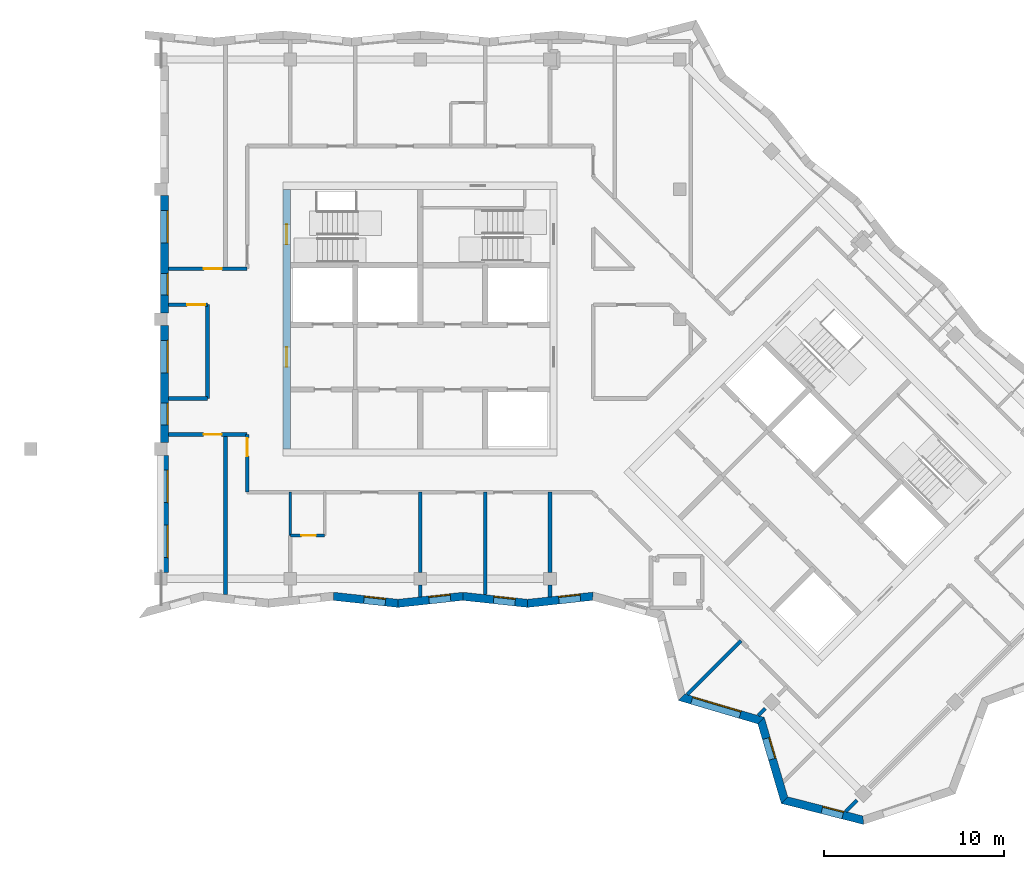
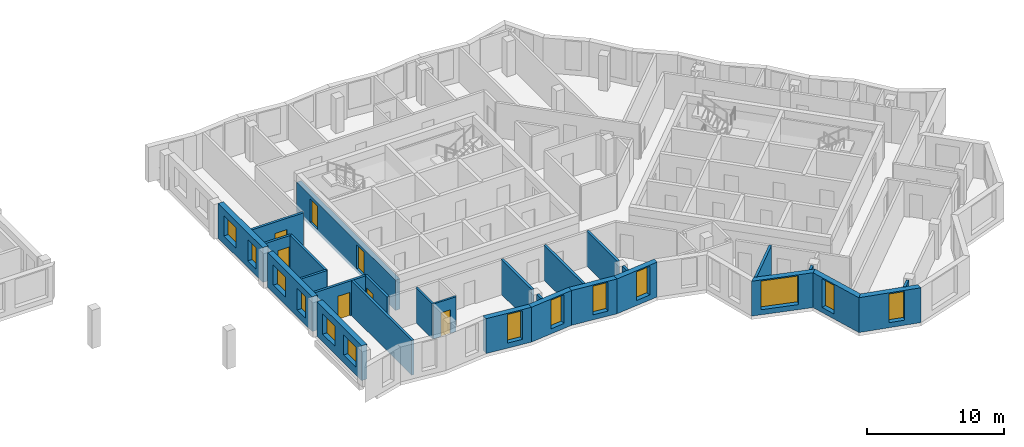
# One storey, part 2 of 12: 28 walls, 13 windows, 7 doors, 20 openings.
"""IFC4 building model written with IfcOpenShell, lengths in metres."""

from ifc_helpers import new_model, si_unit, direction, frame, frame_2d, origin, place, context, subcontext, project, spatial, polyline, rectangle, outline, extrude, material, layer, layer_set, type_object, element, fill, save


model = new_model("IFC4")

# Units and contexts
model_context = context("Model", 3, precision=1e-05, world=origin(), true_north=direction((0.0, 1.0)))
body_context = subcontext(model_context, "Body", "Model", "MODEL_VIEW")
ifc_project = project(units=[si_unit("LENGTHUNIT", "METRE"), si_unit("AREAUNIT", "SQUARE_METRE"), si_unit("VOLUMEUNIT", "CUBIC_METRE"), si_unit("PLANEANGLEUNIT", "RADIAN"), si_unit("MASSUNIT", "GRAM", prefix="KILO")], contexts=[model_context])

# Site, building, storey
site_placement = place(None, origin())
site = spatial("IfcSite", under=ifc_project, at=site_placement, CompositionType="ELEMENT")
building_placement = place(site_placement, origin())
building = spatial("IfcBuilding", under=site, at=building_placement, Name="Windrow Commons", CompositionType="ELEMENT")
storey_placement = place(building_placement, frame((0.0, 0.0, 254.0)))
storey = spatial("IfcBuildingStorey", under=building, at=storey_placement, Name="L69", CompositionType="ELEMENT", Elevation=254.0)

# Wall, opening, window
ifc_material_1 = material(Name="Brick masonry, red clay brick", Category="masonry")
ifc_layer_1 = layer(ifc_material_1, 0.45)
ifc_layer_set_1 = layer_set([ifc_layer_1], Name="Brick facade wall 450")
wall_type_1 = type_object("IfcWallType", Name="Brick facade wall 450", PredefinedType="SOLIDWALL", material=ifc_layer_set_1)
wall_1_placement = place(storey_placement, frame((59.9801, 42.2263, 0.0), z_axis=(0.0, 0.0, 1.0), x_axis=(0.994132181, -0.1081721163, 0.0)))
wall_1 = element("IfcWall", 1, at=wall_1_placement, inside=storey, type_object=wall_type_1, Name="Brick facade wall L69 41", PredefinedType="SOLIDWALL", context=body_context, shape_type="SweptSolid", body=[
    extrude(outline(polyline([(0.0245, -0.225), (3.6391, -0.225), (3.5901, 0.225), (-0.0245, 0.225), (0.0245, -0.225)])), origin(), (0.0, 0.0, 1.0), 3.1),
])
opening_1_placement = place(wall_1_placement, frame((1.7086, 0.0, 0.45)))
opening_1 = element("IfcOpeningElement", 2, at=opening_1_placement, cuts=wall_1, Name="Opening W7F", PredefinedType="OPENING", context=body_context, shape_type="SweptSolid", body=[
    extrude(rectangle(XDim=1.2, YDim=2.55, at=frame_2d((0.6, 1.275))), frame((0.0, 0.235, 0.0), z_axis=(0.0, -1.0, 0.0), x_axis=(1.0, 0.0, 0.0)), (0.0, 0.0, 1.0), 0.47),
])
ifc_material_2 = material(Name="Clear float glass in anodised aluminium frame", Category="aluminium")
window_type_1 = type_object("IfcWindowType", Name="Window W7 notch 1200x2550", PartitioningType="SINGLE_PANEL", PredefinedType="WINDOW", material=ifc_material_2)
window_1_placement = place(opening_1_placement, origin())
window_1 = element("IfcWindow", 3, at=window_1_placement, inside=storey, type_object=window_type_1, Name="Window L69 41.1", OverallHeight=2.55, OverallWidth=1.2, PartitioningType="SINGLE_PANEL", PredefinedType="WINDOW", context=body_context, shape_type="SweptSolid", body=[
    extrude(rectangle(XDim=1.2, YDim=2.55, at=frame_2d((0.6, 1.275))), frame((0.0, 0.205, 0.0), z_axis=(0.0, -1.0, 0.0), x_axis=(1.0, 0.0, 0.0)), (0.0, 0.0, 1.0), 0.06),
])
fill(opening_1, window_1)

wall_2_placement = place(storey_placement, frame((63.5735, 41.8353, 0.0), z_axis=(0.0, 0.0, 1.0), x_axis=(0.9941318572, 0.1081750915, 0.0)))
wall_2 = element("IfcWall", 4, at=wall_2_placement, inside=storey, type_object=wall_type_1, Name="Brick facade wall L69 42", PredefinedType="SOLIDWALL", context=body_context, shape_type="SweptSolid", body=[
    extrude(outline(polyline([(-0.0245, -0.225), (3.5901, -0.225), (3.6391, 0.225), (0.0245, 0.225), (-0.0245, -0.225)])), origin(), (0.0, 0.0, 1.0), 3.1),
])
opening_2_placement = place(wall_2_placement, frame((1.7242, 0.0, 0.45)))
opening_2 = element("IfcOpeningElement", 5, at=opening_2_placement, cuts=wall_2, Name="Opening W7F", PredefinedType="OPENING", context=body_context, shape_type="SweptSolid", body=[
    extrude(rectangle(XDim=1.2, YDim=2.55, at=frame_2d((0.6, 1.275))), frame((0.0, 0.235, 0.0), z_axis=(0.0, -1.0, 0.0), x_axis=(1.0, 0.0, 0.0)), (0.0, 0.0, 1.0), 0.47),
])
window_2_placement = place(opening_2_placement, origin())
window_2 = element("IfcWindow", 6, at=window_2_placement, inside=storey, type_object=window_type_1, Name="Window L69 42.1", OverallHeight=2.55, OverallWidth=1.2, PartitioningType="SINGLE_PANEL", PredefinedType="WINDOW", context=body_context, shape_type="SweptSolid", body=[
    extrude(rectangle(XDim=1.2, YDim=2.55, at=frame_2d((0.6, 1.275))), frame((0.0, 0.205, 0.0), z_axis=(0.0, -1.0, 0.0), x_axis=(1.0, 0.0, 0.0)), (0.0, 0.0, 1.0), 0.06),
])
fill(opening_2, window_2)

wall_3_placement = place(storey_placement, frame((67.1668, 42.2263, 0.0), z_axis=(0.0, 0.0, 1.0), x_axis=(0.994132181, -0.1081721163, 0.0)))
wall_3 = element("IfcWall", 7, at=wall_3_placement, inside=storey, type_object=wall_type_1, Name="Brick facade wall L69 43", PredefinedType="SOLIDWALL", context=body_context, shape_type="SweptSolid", body=[
    extrude(outline(polyline([(0.0245, -0.225), (3.6391, -0.225), (3.5901, 0.225), (-0.0245, 0.225), (0.0245, -0.225)])), origin(), (0.0, 0.0, 1.0), 3.1),
])
opening_3_placement = place(wall_3_placement, frame((1.7153, 0.0, 0.45)))
opening_3 = element("IfcOpeningElement", 8, at=opening_3_placement, cuts=wall_3, Name="Opening W7F", PredefinedType="OPENING", context=body_context, shape_type="SweptSolid", body=[
    extrude(rectangle(XDim=1.2, YDim=2.55, at=frame_2d((0.6, 1.275))), frame((0.0, 0.235, 0.0), z_axis=(0.0, -1.0, 0.0), x_axis=(1.0, 0.0, 0.0)), (0.0, 0.0, 1.0), 0.47),
])
window_3_placement = place(opening_3_placement, origin())
window_3 = element("IfcWindow", 9, at=window_3_placement, inside=storey, type_object=window_type_1, Name="Window L69 43.1", OverallHeight=2.55, OverallWidth=1.2, PartitioningType="SINGLE_PANEL", PredefinedType="WINDOW", context=body_context, shape_type="SweptSolid", body=[
    extrude(rectangle(XDim=1.2, YDim=2.55, at=frame_2d((0.6, 1.275))), frame((0.0, 0.205, 0.0), z_axis=(0.0, -1.0, 0.0), x_axis=(1.0, 0.0, 0.0)), (0.0, 0.0, 1.0), 0.06),
])
fill(opening_3, window_3)

wall_4_placement = place(storey_placement, frame((70.7602, 41.8353, 0.0), z_axis=(0.0, 0.0, 1.0), x_axis=(0.9941319215, 0.108174501, 0.0)))
wall_4 = element("IfcWall", 10, at=wall_4_placement, inside=storey, type_object=wall_type_1, Name="Brick facade wall L69 44", PredefinedType="SOLIDWALL", context=body_context, shape_type="SweptSolid", body=[
    extrude(outline(polyline([(-0.0245, -0.225), (3.5901, -0.225), (3.676, 0.225), (0.0245, 0.225), (-0.0245, -0.225)])), origin(), (0.0, 0.0, 1.0), 3.1),
])
opening_4_placement = place(wall_4_placement, frame((1.7401, 0.0, 0.45)))
opening_4 = element("IfcOpeningElement", 11, at=opening_4_placement, cuts=wall_4, Name="Opening W7F", PredefinedType="OPENING", context=body_context, shape_type="SweptSolid", body=[
    extrude(rectangle(XDim=1.2, YDim=2.55, at=frame_2d((0.6, 1.275))), frame((0.0, 0.235, 0.0), z_axis=(0.0, -1.0, 0.0), x_axis=(1.0, 0.0, 0.0)), (0.0, 0.0, 1.0), 0.47),
])
window_4_placement = place(opening_4_placement, origin())
window_4 = element("IfcWindow", 12, at=window_4_placement, inside=storey, type_object=window_type_1, Name="Window L69 44.1", OverallHeight=2.55, OverallWidth=1.2, PartitioningType="SINGLE_PANEL", PredefinedType="WINDOW", context=body_context, shape_type="SweptSolid", body=[
    extrude(rectangle(XDim=1.2, YDim=2.55, at=frame_2d((0.6, 1.275))), frame((0.0, 0.205, 0.0), z_axis=(0.0, -1.0, 0.0), x_axis=(1.0, 0.0, 0.0)), (0.0, 0.0, 1.0), 0.06),
])
fill(opening_4, window_4)

wall_5_placement = place(storey_placement, frame((79.2951, 36.6327, 0.0), z_axis=(0.0, 0.0, 1.0), x_axis=(0.959077868, -0.2831424432, 0.0)))
wall_5 = element("IfcWall", 13, at=wall_5_placement, inside=storey, type_object=wall_type_1, Name="Brick facade wall L69 47", PredefinedType="SOLIDWALL", context=body_context, shape_type="SweptSolid", body=[
    extrude(outline(polyline([(-0.1279, -0.225), (4.4749, -0.225), (4.7198, 0.225), (0.1279, 0.225), (-0.1279, -0.225)])), origin(), (0.0, 0.0, 1.0), 3.1),
])
opening_5_placement = place(wall_5_placement, frame((0.5912, 0.0, 0.45)))
opening_5 = element("IfcOpeningElement", 14, at=opening_5_placement, cuts=wall_5, Name="Opening W1V", PredefinedType="OPENING", context=body_context, shape_type="SweptSolid", body=[
    extrude(rectangle(XDim=2.8, YDim=2.55, at=frame_2d((1.4, 1.275))), frame((0.0, 0.235, 0.0), z_axis=(0.0, -1.0, 0.0), x_axis=(1.0, 0.0, 0.0)), (0.0, 0.0, 1.0), 0.47),
])
ifc_material_3 = material(Name="Clear float glass in anodised aluminium frame", Category="aluminium")
window_type_2 = type_object("IfcWindowType", Name="Window W1V bedroom 2800x2550", PartitioningType="SINGLE_PANEL", PredefinedType="WINDOW", material=ifc_material_3)
window_5_placement = place(opening_5_placement, origin())
window_5 = element("IfcWindow", 15, at=window_5_placement, inside=storey, type_object=window_type_2, Name="Window L69 47.1", OverallHeight=2.55, OverallWidth=2.8, PartitioningType="SINGLE_PANEL", PredefinedType="WINDOW", context=body_context, shape_type="SweptSolid", body=[
    extrude(rectangle(XDim=2.8, YDim=2.55, at=frame_2d((1.4, 1.275))), frame((0.0, 0.205, 0.0), z_axis=(0.0, -1.0, 0.0), x_axis=(1.0, 0.0, 0.0)), (0.0, 0.0, 1.0), 0.06),
])
fill(opening_5, window_5)

wall_6_placement = place(storey_placement, frame((83.7043, 35.331, 0.0), z_axis=(0.0, 0.0, 1.0), x_axis=(0.2831424432, -0.959077868, 0.0)))
wall_6 = element("IfcWall", 16, at=wall_6_placement, inside=storey, type_object=wall_type_1, Name="Brick facade wall L69 48", PredefinedType="SOLIDWALL", context=body_context, shape_type="SweptSolid", body=[
    extrude(outline(polyline([(0.1224, -0.225), (4.7253, -0.225), (4.4694, 0.225), (-0.1224, 0.225), (0.1224, -0.225)])), origin(), (0.0, 0.0, 1.0), 3.1),
])
opening_6_placement = place(wall_6_placement, frame((1.028, 0.0, 0.45)))
opening_6 = element("IfcOpeningElement", 17, at=opening_6_placement, cuts=wall_6, Name="Opening W7F", PredefinedType="OPENING", context=body_context, shape_type="SweptSolid", body=[
    extrude(rectangle(XDim=1.2, YDim=2.55, at=frame_2d((0.6, 1.275))), frame((0.0, 0.235, 0.0), z_axis=(0.0, -1.0, 0.0), x_axis=(1.0, 0.0, 0.0)), (0.0, 0.0, 1.0), 0.47),
])
window_6_placement = place(opening_6_placement, origin())
window_6 = element("IfcWindow", 18, at=window_6_placement, inside=storey, type_object=window_type_1, Name="Window L69 48.1", OverallHeight=2.55, OverallWidth=1.2, PartitioningType="SINGLE_PANEL", PredefinedType="WINDOW", context=body_context, shape_type="SweptSolid", body=[
    extrude(rectangle(XDim=1.2, YDim=2.55, at=frame_2d((0.6, 1.275))), frame((0.0, 0.205, 0.0), z_axis=(0.0, -1.0, 0.0), x_axis=(1.0, 0.0, 0.0)), (0.0, 0.0, 1.0), 0.06),
])
fill(opening_6, window_6)

wall_7_placement = place(storey_placement, frame((85.006, 30.9218, 0.0), z_axis=(0.0, 0.0, 1.0), x_axis=(0.9689925633, -0.2470898869, 0.0)))
wall_7 = element("IfcWall", 19, at=wall_7_placement, inside=storey, type_object=wall_type_1, Name="Brick facade wall L69 49", PredefinedType="SOLIDWALL", context=body_context, shape_type="SweptSolid", body=[
    extrude(outline(polyline([(-0.1279, -0.225), (4.5738, -0.225), (4.4416, 0.225), (0.1279, 0.225), (-0.1279, -0.225)])), origin(), (0.0, 0.0, 1.0), 3.1),
])
opening_7_placement = place(wall_7_placement, frame((2.1401, 0.0, 0.45)))
opening_7 = element("IfcOpeningElement", 20, at=opening_7_placement, cuts=wall_7, Name="Opening W7F", PredefinedType="OPENING", context=body_context, shape_type="SweptSolid", body=[
    extrude(rectangle(XDim=1.2, YDim=2.55, at=frame_2d((0.6, 1.275))), frame((0.0, 0.235, 0.0), z_axis=(0.0, -1.0, 0.0), x_axis=(1.0, 0.0, 0.0)), (0.0, 0.0, 1.0), 0.47),
])
window_7_placement = place(opening_7_placement, origin())
window_7 = element("IfcWindow", 21, at=window_7_placement, inside=storey, type_object=window_type_1, Name="Window L69 49.1", OverallHeight=2.55, OverallWidth=1.2, PartitioningType="SINGLE_PANEL", PredefinedType="WINDOW", context=body_context, shape_type="SweptSolid", body=[
    extrude(rectangle(XDim=1.2, YDim=2.55, at=frame_2d((0.6, 1.275))), frame((0.0, 0.205, 0.0), z_axis=(0.0, -1.0, 0.0), x_axis=(1.0, 0.0, 0.0)), (0.0, 0.0, 1.0), 0.06),
])
fill(opening_7, window_7)

# Wall, openings, windows
wall_8_placement = place(storey_placement, frame((50.625, 64.45, 0.0), z_axis=(0.0, 0.0, 1.0), x_axis=(0.0, -1.0, 0.0)))
wall_8 = element("IfcWall", 22, at=wall_8_placement, inside=storey, type_object=wall_type_1, Name="Brick portal return L69 12.2", PredefinedType="SOLIDWALL", context=body_context, shape_type="SweptSolid", body=[
    extrude(rectangle(XDim=6.5, YDim=0.45, at=frame_2d((3.25, 0.0))), origin(), (0.0, 0.0, 1.0), 3.1),
])
opening_8_placement = place(wall_8_placement, frame((0.825, 0.0, 0.7)))
opening_8 = element("IfcOpeningElement", 23, at=opening_8_placement, cuts=wall_8, Name="Opening W8", PredefinedType="OPENING", context=body_context, shape_type="SweptSolid", body=[
    extrude(rectangle(XDim=1.8, YDim=1.8, at=frame_2d((0.9, 0.9))), frame((0.0, 0.235, 0.0), z_axis=(0.0, -1.0, 0.0), x_axis=(1.0, 0.0, 0.0)), (0.0, 0.0, 1.0), 0.47),
])
opening_9_placement = place(wall_8_placement, frame((4.3125, 0.0, 0.6)))
opening_9 = element("IfcOpeningElement", 24, at=opening_9_placement, cuts=wall_8, Name="Opening W7G", PredefinedType="OPENING", context=body_context, shape_type="SweptSolid", body=[
    extrude(rectangle(XDim=1.2, YDim=1.9, at=frame_2d((0.6, 0.95))), frame((0.0, 0.235, 0.0), z_axis=(0.0, -1.0, 0.0), x_axis=(1.0, 0.0, 0.0)), (0.0, 0.0, 1.0), 0.47),
])
ifc_material_4 = material(Name="Clear float glass in anodised aluminium frame", Category="aluminium")
window_type_3 = type_object("IfcWindowType", Name="Window W7 notch 1200x1900", PartitioningType="SINGLE_PANEL", PredefinedType="WINDOW", material=ifc_material_4)
window_8_placement = place(opening_9_placement, origin())
window_8 = element("IfcWindow", 25, at=window_8_placement, inside=storey, type_object=window_type_3, Name="Window L69 portal 12.2.2A", OverallHeight=1.9, OverallWidth=1.2, PartitioningType="SINGLE_PANEL", PredefinedType="WINDOW", context=body_context, shape_type="SweptSolid", body=[
    extrude(rectangle(XDim=1.2, YDim=1.9, at=frame_2d((0.6, 0.95))), frame((0.0, 0.205, 0.0), z_axis=(0.0, -1.0, 0.0), x_axis=(1.0, 0.0, 0.0)), (0.0, 0.0, 1.0), 0.06),
])
fill(opening_9, window_8)
ifc_material_5 = material(Name="Clear float glass in anodised aluminium frame", Category="aluminium")
window_type_4 = type_object("IfcWindowType", Name="Window W8 portal 1800x1800", PartitioningType="SINGLE_PANEL", PredefinedType="WINDOW", material=ifc_material_5)
window_9_placement = place(opening_8_placement, origin())
window_9 = element("IfcWindow", 26, at=window_9_placement, inside=storey, type_object=window_type_4, Name="Window L69 portal 12.2.1", OverallHeight=1.8, OverallWidth=1.8, PartitioningType="SINGLE_PANEL", PredefinedType="WINDOW", context=body_context, shape_type="SweptSolid", body=[
    extrude(rectangle(XDim=1.8, YDim=1.8, at=frame_2d((0.9, 0.9))), frame((0.0, 0.205, 0.0), z_axis=(0.0, -1.0, 0.0), x_axis=(1.0, 0.0, 0.0)), (0.0, 0.0, 1.0), 0.06),
])
fill(opening_8, window_9)

wall_9_placement = place(storey_placement, frame((50.625, 57.25, 0.0), z_axis=(0.0, 0.0, 1.0), x_axis=(0.0, -1.0, 0.0)))
wall_9 = element("IfcWall", 27, at=wall_9_placement, inside=storey, type_object=wall_type_1, Name="Brick portal return L69 12.3", PredefinedType="SOLIDWALL", context=body_context, shape_type="SweptSolid", body=[
    extrude(rectangle(XDim=6.5, YDim=0.45, at=frame_2d((3.25, 0.0))), origin(), (0.0, 0.0, 1.0), 3.1),
])
opening_10_placement = place(wall_9_placement, frame((0.825, 0.0, 0.7)))
opening_10 = element("IfcOpeningElement", 28, at=opening_10_placement, cuts=wall_9, Name="Opening W8", PredefinedType="OPENING", context=body_context, shape_type="SweptSolid", body=[
    extrude(rectangle(XDim=1.8, YDim=1.8, at=frame_2d((0.9, 0.9))), frame((0.0, 0.235, 0.0), z_axis=(0.0, -1.0, 0.0), x_axis=(1.0, 0.0, 0.0)), (0.0, 0.0, 1.0), 0.47),
])
opening_11_placement = place(wall_9_placement, frame((4.3125, 0.0, 0.6)))
opening_11 = element("IfcOpeningElement", 29, at=opening_11_placement, cuts=wall_9, Name="Opening W7G", PredefinedType="OPENING", context=body_context, shape_type="SweptSolid", body=[
    extrude(rectangle(XDim=1.2, YDim=1.9, at=frame_2d((0.6, 0.95))), frame((0.0, 0.235, 0.0), z_axis=(0.0, -1.0, 0.0), x_axis=(1.0, 0.0, 0.0)), (0.0, 0.0, 1.0), 0.47),
])
window_10_placement = place(opening_11_placement, origin())
window_10 = element("IfcWindow", 30, at=window_10_placement, inside=storey, type_object=window_type_3, Name="Window L69 portal 12.3.2A", OverallHeight=1.9, OverallWidth=1.2, PartitioningType="SINGLE_PANEL", PredefinedType="WINDOW", context=body_context, shape_type="SweptSolid", body=[
    extrude(rectangle(XDim=1.2, YDim=1.9, at=frame_2d((0.6, 0.95))), frame((0.0, 0.205, 0.0), z_axis=(0.0, -1.0, 0.0), x_axis=(1.0, 0.0, 0.0)), (0.0, 0.0, 1.0), 0.06),
])
fill(opening_11, window_10)
window_11_placement = place(opening_10_placement, origin())
window_11 = element("IfcWindow", 31, at=window_11_placement, inside=storey, type_object=window_type_4, Name="Window L69 portal 12.3.1", OverallHeight=1.8, OverallWidth=1.8, PartitioningType="SINGLE_PANEL", PredefinedType="WINDOW", context=body_context, shape_type="SweptSolid", body=[
    extrude(rectangle(XDim=1.8, YDim=1.8, at=frame_2d((0.9, 0.9))), frame((0.0, 0.205, 0.0), z_axis=(0.0, -1.0, 0.0), x_axis=(1.0, 0.0, 0.0)), (0.0, 0.0, 1.0), 0.06),
])
fill(opening_10, window_11)

wall_10_placement = place(storey_placement, frame((50.625, 50.05, 0.0), z_axis=(0.0, 0.0, 1.0), x_axis=(0.0, -1.0, 0.0)))
wall_10 = element("IfcWall", 32, at=wall_10_placement, inside=storey, type_object=wall_type_1, Name="Brick portal return L69 12.4", PredefinedType="SOLIDWALL", context=body_context, shape_type="SweptSolid", body=[
    extrude(rectangle(XDim=6.5, YDim=0.45, at=frame_2d((3.25, 0.0))), origin(), (0.0, 0.0, 1.0), 3.1),
])
opening_12_placement = place(wall_10_placement, frame((0.825, 0.0, 0.7)))
opening_12 = element("IfcOpeningElement", 33, at=opening_12_placement, cuts=wall_10, Name="Opening W8", PredefinedType="OPENING", context=body_context, shape_type="SweptSolid", body=[
    extrude(rectangle(XDim=1.8, YDim=1.8, at=frame_2d((0.9, 0.9))), frame((0.0, 0.235, 0.0), z_axis=(0.0, -1.0, 0.0), x_axis=(1.0, 0.0, 0.0)), (0.0, 0.0, 1.0), 0.47),
])
opening_13_placement = place(wall_10_placement, frame((3.875, 0.0, 0.7)))
opening_13 = element("IfcOpeningElement", 34, at=opening_13_placement, cuts=wall_10, Name="Opening W8", PredefinedType="OPENING", context=body_context, shape_type="SweptSolid", body=[
    extrude(rectangle(XDim=1.8, YDim=1.8, at=frame_2d((0.9, 0.9))), frame((0.0, 0.235, 0.0), z_axis=(0.0, -1.0, 0.0), x_axis=(1.0, 0.0, 0.0)), (0.0, 0.0, 1.0), 0.47),
])
window_12_placement = place(opening_12_placement, origin())
window_12 = element("IfcWindow", 35, at=window_12_placement, inside=storey, type_object=window_type_4, Name="Window L69 portal 12.4.1", OverallHeight=1.8, OverallWidth=1.8, PartitioningType="SINGLE_PANEL", PredefinedType="WINDOW", context=body_context, shape_type="SweptSolid", body=[
    extrude(rectangle(XDim=1.8, YDim=1.8, at=frame_2d((0.9, 0.9))), frame((0.0, 0.205, 0.0), z_axis=(0.0, -1.0, 0.0), x_axis=(1.0, 0.0, 0.0)), (0.0, 0.0, 1.0), 0.06),
])
fill(opening_12, window_12)
window_13_placement = place(opening_13_placement, origin())
window_13 = element("IfcWindow", 36, at=window_13_placement, inside=storey, type_object=window_type_4, Name="Window L69 portal 12.4.2", OverallHeight=1.8, OverallWidth=1.8, PartitioningType="SINGLE_PANEL", PredefinedType="WINDOW", context=body_context, shape_type="SweptSolid", body=[
    extrude(rectangle(XDim=1.8, YDim=1.8, at=frame_2d((0.9, 0.9))), frame((0.0, 0.205, 0.0), z_axis=(0.0, -1.0, 0.0), x_axis=(1.0, 0.0, 0.0)), (0.0, 0.0, 1.0), 0.06),
])
fill(opening_13, window_13)

# Wall
ifc_material_6 = material(Name="Blockwork partition", Category="masonry")
ifc_layer_2 = layer(ifc_material_6, 0.2)
ifc_layer_set_2 = layer_set([ifc_layer_2], Name="IW-CORRIDOR-200")
wall_type_2 = type_object("IfcWallType", Name="IW-CORRIDOR-200", PredefinedType="PARTITIONING", material=ifc_layer_set_2)
wall_11_placement = place(storey_placement, frame((53.0, 53.202, 0.0), z_axis=(0.0, 0.0, 1.0), x_axis=(0.0, 1.0, 0.0)))
element("IfcWall", 37, at=wall_11_placement, inside=storey, type_object=wall_type_2, Name="W-L69-W018", PredefinedType="PARTITIONING", context=body_context, shape_type="SweptSolid", body=[
    extrude(rectangle(XDim=5.198, YDim=0.2, at=frame_2d((2.599, 0.0))), origin(), (0.0, 0.0, 1.0), 3.1),
])

# Wall, opening, door
wall_12_placement = place(storey_placement, frame((50.85, 51.2, 0.0), z_axis=(0.0, 0.0, 1.0), x_axis=(1.0, 0.0, 0.0)))
wall_12 = element("IfcWall", 38, at=wall_12_placement, inside=storey, type_object=wall_type_2, Name="W-L69-W028", PredefinedType="PARTITIONING", context=body_context, shape_type="SweptSolid", body=[
    extrude(rectangle(XDim=4.35, YDim=0.2, at=frame_2d((2.175, 0.0))), origin(), (0.0, 0.0, 1.0), 3.1),
])
opening_14_placement = place(wall_12_placement, frame((1.9314, 0.0, 0.0)))
opening_14 = element("IfcOpeningElement", 39, at=opening_14_placement, cuts=wall_12, Name="Opening D310F", PredefinedType="OPENING", context=body_context, shape_type="SweptSolid", body=[
    extrude(rectangle(XDim=1.0, YDim=2.1, at=frame_2d((0.5, 1.05))), frame((0.0, 0.11, 0.0), z_axis=(0.0, -1.0, 0.0), x_axis=(1.0, 0.0, 0.0)), (0.0, 0.0, 1.0), 0.22),
])
ifc_material_7 = material(Name="Timber door leaf", Category="wood")
door_type_1 = type_object("IfcDoorType", Name="DT-AMENITY-1000", OperationType="SINGLE_SWING_LEFT", PredefinedType="DOOR", material=ifc_material_7)
door_1_placement = place(opening_14_placement, origin())
door_1 = element("IfcDoor", 40, at=door_1_placement, inside=storey, type_object=door_type_1, Name="D-L69-D000", OperationType="SINGLE_SWING_LEFT", OverallHeight=2.1, OverallWidth=1.0, PredefinedType="DOOR", context=body_context, shape_type="SweptSolid", body=[
    extrude(rectangle(XDim=1.0, YDim=2.1, at=frame_2d((0.5, 1.05))), frame((0.0, 0.025, 0.0), z_axis=(0.0, -1.0, 0.0), x_axis=(1.0, 0.0, 0.0)), (0.0, 0.0, 1.0), 0.05),
])
fill(opening_14, door_1)

wall_13_placement = place(storey_placement, frame((50.85, 60.4, 0.0), z_axis=(0.0, 0.0, 1.0), x_axis=(1.0, 0.0, 0.0)))
wall_13 = element("IfcWall", 41, at=wall_13_placement, inside=storey, type_object=wall_type_2, Name="W-L69-W029", PredefinedType="PARTITIONING", context=body_context, shape_type="SweptSolid", body=[
    extrude(rectangle(XDim=4.35, YDim=0.2, at=frame_2d((2.175, 0.0))), origin(), (0.0, 0.0, 1.0), 3.1),
])
opening_15_placement = place(wall_13_placement, frame((1.9457, 0.0, 0.0)))
opening_15 = element("IfcOpeningElement", 42, at=opening_15_placement, cuts=wall_13, Name="Opening D310F", PredefinedType="OPENING", context=body_context, shape_type="SweptSolid", body=[
    extrude(rectangle(XDim=1.0, YDim=2.1, at=frame_2d((0.5, 1.05))), frame((0.0, 0.11, 0.0), z_axis=(0.0, -1.0, 0.0), x_axis=(1.0, 0.0, 0.0)), (0.0, 0.0, 1.0), 0.22),
])
door_2_placement = place(opening_15_placement, origin())
door_2 = element("IfcDoor", 43, at=door_2_placement, inside=storey, type_object=door_type_1, Name="D-L69-D009", OperationType="SINGLE_SWING_RIGHT", OverallHeight=2.1, OverallWidth=1.0, PredefinedType="DOOR", context=body_context, shape_type="SweptSolid", body=[
    extrude(rectangle(XDim=1.0, YDim=2.1, at=frame_2d((0.5, 1.05))), frame((0.0, 0.025, 0.0), z_axis=(0.0, -1.0, 0.0), x_axis=(1.0, 0.0, 0.0)), (0.0, 0.0, 1.0), 0.05),
])
fill(opening_15, door_2)

wall_14_placement = place(storey_placement, frame((55.2, 48.0, 0.0), z_axis=(0.0, 0.0, 1.0), x_axis=(0.0, 1.0, 0.0)))
wall_14 = element("IfcWall", 44, at=wall_14_placement, inside=storey, type_object=wall_type_2, Name="W-L69-W035", PredefinedType="PARTITIONING", context=body_context, shape_type="SweptSolid", body=[
    extrude(rectangle(XDim=3.2, YDim=0.2, at=frame_2d((1.6, 0.0))), origin(), (0.0, 0.0, 1.0), 3.1),
])
opening_16_placement = place(wall_14_placement, frame((2.0043, 0.0, 0.0)))
opening_16 = element("IfcOpeningElement", 45, at=opening_16_placement, cuts=wall_14, Name="Opening D310F", PredefinedType="OPENING", context=body_context, shape_type="SweptSolid", body=[
    extrude(rectangle(XDim=1.0, YDim=2.1, at=frame_2d((0.5, 1.05))), frame((0.0, 0.11, 0.0), z_axis=(0.0, -1.0, 0.0), x_axis=(1.0, 0.0, 0.0)), (0.0, 0.0, 1.0), 0.22),
])
door_3_placement = place(opening_16_placement, origin())
door_3 = element("IfcDoor", 46, at=door_3_placement, inside=storey, type_object=door_type_1, Name="D-L69-D001", OperationType="SINGLE_SWING_RIGHT", OverallHeight=2.1, OverallWidth=1.0, PredefinedType="DOOR", context=body_context, shape_type="SweptSolid", body=[
    extrude(rectangle(XDim=1.0, YDim=2.1, at=frame_2d((0.5, 1.05))), frame((0.0, 0.025, 0.0), z_axis=(0.0, -1.0, 0.0), x_axis=(1.0, 0.0, 0.0)), (0.0, 0.0, 1.0), 0.05),
])
fill(opening_16, door_3)

# Wall
wall_15_placement = place(storey_placement, frame((50.85, 53.2, 0.0), z_axis=(0.0, 0.0, 1.0), x_axis=(1.0, 0.0, 0.0)))
element("IfcWall", 47, at=wall_15_placement, inside=storey, type_object=wall_type_2, Name="W-L69-W061", PredefinedType="PARTITIONING", context=body_context, shape_type="SweptSolid", body=[
    extrude(rectangle(XDim=2.15, YDim=0.2, at=frame_2d((1.075, 0.0))), origin(), (0.0, 0.0, 1.0), 3.1),
])

# Wall, opening, door
wall_16_placement = place(storey_placement, frame((50.85, 58.4, 0.0), z_axis=(0.0, 0.0, 1.0), x_axis=(1.0, 0.0, 0.0)))
wall_16 = element("IfcWall", 48, at=wall_16_placement, inside=storey, type_object=wall_type_2, Name="W-L69-W062", PredefinedType="PARTITIONING", context=body_context, shape_type="SweptSolid", body=[
    extrude(rectangle(XDim=2.15, YDim=0.2, at=frame_2d((1.075, 0.0))), origin(), (0.0, 0.0, 1.0), 3.1),
])
opening_17_placement = place(wall_16_placement, frame((1.0186, 0.0, 0.0)))
opening_17 = element("IfcOpeningElement", 49, at=opening_17_placement, cuts=wall_16, Name="Opening D410F", PredefinedType="OPENING", context=body_context, shape_type="SweptSolid", body=[
    extrude(rectangle(XDim=1.0, YDim=2.1, at=frame_2d((0.5, 1.05))), frame((0.0, 0.11, 0.0), z_axis=(0.0, -1.0, 0.0), x_axis=(1.0, 0.0, 0.0)), (0.0, 0.0, 1.0), 0.22),
])
ifc_material_8 = material(Name="Timber door leaf", Category="wood")
door_type_2 = type_object("IfcDoorType", Name="DT-SERVICE-1000", OperationType="SINGLE_SWING_LEFT", PredefinedType="DOOR", material=ifc_material_8)
door_4_placement = place(opening_17_placement, origin())
door_4 = element("IfcDoor", 50, at=door_4_placement, inside=storey, type_object=door_type_2, Name="D-L69-D007", OperationType="SINGLE_SWING_LEFT", OverallHeight=2.1, OverallWidth=1.0, PredefinedType="DOOR", context=body_context, shape_type="SweptSolid", body=[
    extrude(rectangle(XDim=1.0, YDim=2.1, at=frame_2d((0.5, 1.05))), frame((0.0, 0.025, 0.0), z_axis=(0.0, -1.0, 0.0), x_axis=(1.0, 0.0, 0.0)), (0.0, 0.0, 1.0), 0.05),
])
fill(opening_17, door_4)

# Wall
ifc_material_9 = material(Name="Blockwork partition", Category="masonry")
ifc_layer_3 = layer(ifc_material_9, 0.15)
ifc_layer_set_3 = layer_set([ifc_layer_3], Name="IW-ENSUITE-150")
wall_type_3 = type_object("IfcWallType", Name="IW-ENSUITE-150", PredefinedType="PARTITIONING", material=ifc_layer_set_3)
wall_17_placement = place(storey_placement, frame((57.6, 45.6, 0.0), z_axis=(0.0, 0.0, 1.0), x_axis=(0.0, 1.0, 0.0)))
element("IfcWall", 51, at=wall_17_placement, inside=storey, type_object=wall_type_3, Name="W-L69-W050", PredefinedType="PARTITIONING", context=body_context, shape_type="SweptSolid", body=[
    extrude(rectangle(XDim=2.4, YDim=0.15, at=frame_2d((1.2, 0.0))), origin(), (0.0, 0.0, 1.0), 3.1),
])

# Wall, opening, door
wall_18_placement = place(storey_placement, frame((57.6, 45.6, 0.0), z_axis=(0.0, 0.0, 1.0), x_axis=(1.0, 0.0, 0.0)))
wall_18 = element("IfcWall", 52, at=wall_18_placement, inside=storey, type_object=wall_type_3, Name="W-L69-W068", PredefinedType="PARTITIONING", context=body_context, shape_type="SweptSolid", body=[
    extrude(rectangle(XDim=1.9, YDim=0.15, at=frame_2d((0.95, 0.0))), origin(), (0.0, 0.0, 1.0), 3.1),
])
opening_18_placement = place(wall_18_placement, frame((0.6069, 0.0, 0.0)))
opening_18 = element("IfcOpeningElement", 53, at=opening_18_placement, cuts=wall_18, Name="Opening D208N", PredefinedType="OPENING", context=body_context, shape_type="SweptSolid", body=[
    extrude(rectangle(XDim=0.8, YDim=2.1, at=frame_2d((0.4, 1.05))), frame((0.0, 0.085, 0.0), z_axis=(0.0, -1.0, 0.0), x_axis=(1.0, 0.0, 0.0)), (0.0, 0.0, 1.0), 0.17),
])
ifc_material_10 = material(Name="Timber door leaf", Category="wood")
door_type_3 = type_object("IfcDoorType", Name="DT-ENSUITE-800", OperationType="SINGLE_SWING_LEFT", PredefinedType="DOOR", material=ifc_material_10)
door_5_placement = place(opening_18_placement, origin())
door_5 = element("IfcDoor", 54, at=door_5_placement, inside=storey, type_object=door_type_3, Name="D-L69-D003", OperationType="SINGLE_SWING_RIGHT", OverallHeight=2.1, OverallWidth=0.8, PredefinedType="DOOR", context=body_context, shape_type="SweptSolid", body=[
    extrude(rectangle(XDim=0.8, YDim=2.1, at=frame_2d((0.4, 1.05))), frame((0.0, 0.025, 0.0), z_axis=(0.0, -1.0, 0.0), x_axis=(1.0, 0.0, 0.0)), (0.0, 0.0, 1.0), 0.05),
])
fill(opening_18, door_5)

# Walls
ifc_material_11 = material(Name="Blockwork partition", Category="masonry")
ifc_layer_4 = layer(ifc_material_11, 0.2)
ifc_layer_set_4 = layer_set([ifc_layer_4], Name="IW-PARTY-200")
wall_type_4 = type_object("IfcWallType", Name="IW-PARTY-200", PredefinedType="PARTITIONING", material=ifc_layer_set_4)
wall_19_placement = place(storey_placement, frame((54.0, 42.3214, 0.0), z_axis=(0.0, 0.0, 1.0), x_axis=(0.0, 1.0, 0.0)))
element("IfcWall", 55, at=wall_19_placement, inside=storey, type_object=wall_type_4, Name="W-L69-W008", PredefinedType="PARTITIONING", context=body_context, shape_type="SweptSolid", body=[
    extrude(rectangle(XDim=8.8786, YDim=0.2, at=frame_2d((4.4393, 0.0))), origin(), (0.0, 0.0, 1.0), 3.1),
])
wall_20_placement = place(storey_placement, frame((68.4, 42.3185, 0.0), z_axis=(0.0, 0.0, 1.0), x_axis=(0.0, 1.0, 0.0)))
element("IfcWall", 56, at=wall_20_placement, inside=storey, type_object=wall_type_4, Name="W-L69-W016", PredefinedType="PARTITIONING", context=body_context, shape_type="SweptSolid", body=[
    extrude(rectangle(XDim=5.6815, YDim=0.2, at=frame_2d((2.8407, 0.0))), origin(), (0.0, 0.0, 1.0), 3.1),
])
for number, where, z_axis, x_axis, name in (
    (57, (64.8, 43.55, 0.0), (0.0, 0.0, 1.0), (0.0, 1.0, 0.0), "W-L69-W025"),
    (58, (72.0, 43.55, 0.0), (0.0, 0.0, 1.0), (0.0, 1.0, 0.0), "W-L69-W026"),
):
    element("IfcWall", number, at=place(storey_placement, frame(where, z_axis=z_axis, x_axis=x_axis)), inside=storey, type_object=wall_type_4, Name=name, PredefinedType="PARTITIONING", context=body_context, shape_type="SweptSolid", body=[
        extrude(rectangle(XDim=4.45, YDim=0.2, at=frame_2d((2.225, 0.0))), origin(), (0.0, 0.0, 1.0), 3.1),
    ])
wall_21_placement = place(storey_placement, frame((79.6106, 36.7741, 0.0), z_axis=(0.0, 0.0, 1.0), x_axis=(0.7071186348, 0.7070949274, 0.0)))
element("IfcWall", 59, at=wall_21_placement, inside=storey, type_object=wall_type_4, Name="W-L69-W031", PredefinedType="PARTITIONING", context=body_context, shape_type="SweptSolid", body=[
    extrude(rectangle(XDim=4.2181, YDim=0.2, at=frame_2d((2.109, 0.0))), origin(), (0.0, 0.0, 1.0), 3.1),
])
wall_22_placement = place(storey_placement, frame((88.3988, 30.2888, 0.0), z_axis=(0.0, 0.0, 1.0), x_axis=(0.7071067812, 0.7071067812, 0.0)))
element("IfcWall", 60, at=wall_22_placement, inside=storey, type_object=wall_type_4, Name="W-L69-W078", PredefinedType="PARTITIONING", context=body_context, shape_type="SweptSolid", body=[
    extrude(rectangle(XDim=0.8941, YDim=0.2, at=frame_2d((0.4471, 0.0))), origin(), (0.0, 0.0, 1.0), 3.1),
])
wall_23_placement = place(storey_placement, frame((64.8, 42.1951, 0.0), z_axis=(0.0, 0.0, 1.0), x_axis=(0.0, 1.0, 0.0)))
element("IfcWall", 61, at=wall_23_placement, inside=storey, type_object=wall_type_4, Name="W-L69-W087", PredefinedType="PARTITIONING", context=body_context, shape_type="SweptSolid", body=[
    extrude(rectangle(XDim=0.6549, YDim=0.2, at=frame_2d((0.3275, 0.0))), origin(), (0.0, 0.0, 1.0), 3.1),
])
wall_24_placement = place(storey_placement, frame((72.0, 42.1966, 0.0), z_axis=(0.0, 0.0, 1.0), x_axis=(0.0, 1.0, 0.0)))
element("IfcWall", 62, at=wall_24_placement, inside=storey, type_object=wall_type_4, Name="W-L69-W088", PredefinedType="PARTITIONING", context=body_context, shape_type="SweptSolid", body=[
    extrude(rectangle(XDim=0.6534, YDim=0.2, at=frame_2d((0.3267, 0.0))), origin(), (0.0, 0.0, 1.0), 3.1),
])
wall_25_placement = place(storey_placement, frame((83.5432, 35.6132, 0.0), z_axis=(0.0, 0.0, 1.0), x_axis=(0.7092312739, 0.7049758862, 0.0)))
element("IfcWall", 63, at=wall_25_placement, inside=storey, type_object=wall_type_4, Name="W-L69-W091", PredefinedType="PARTITIONING", context=body_context, shape_type="SweptSolid", body=[
    extrude(rectangle(XDim=0.564, YDim=0.2, at=frame_2d((0.282, 0.0))), origin(), (0.0, 0.0, 1.0), 3.1),
])

# Wall, openings, doors
ifc_material_12 = material(Name="Concrete C40/50", Category="concrete")
ifc_layer_5 = layer(ifc_material_12, 0.4)
ifc_layer_set_5 = layer_set([ifc_layer_5], Name="RC CORE WALL 400 C40/50")
wall_type_5 = type_object("IfcWallType", Name="RC CORE WALL 400 C40/50", PredefinedType="SHEAR", material=ifc_layer_set_5)
wall_26_placement = place(storey_placement, frame((57.4, 50.4, -0.3), z_axis=(0.0, 0.0, 1.0), x_axis=(0.0, 1.0, 0.0)))
wall_26 = element("IfcWall", 64, at=wall_26_placement, inside=storey, type_object=wall_type_5, Name="Core A wall outer-W", PredefinedType="SHEAR", context=body_context, shape_type="SweptSolid", body=[
    extrude(rectangle(XDim=14.4, YDim=0.4, at=frame_2d((7.2, 0.0))), origin(), (0.0, 0.0, 1.0), 2.7),
])
opening_19_placement = place(wall_26_placement, frame((4.55, 0.0, 0.3)))
opening_19 = element("IfcOpeningElement", 65, at=opening_19_placement, cuts=wall_26, Name="Opening D6", PredefinedType="OPENING", context=body_context, shape_type="SweptSolid", body=[
    extrude(rectangle(XDim=1.1, YDim=2.1, at=frame_2d((0.55, 1.05))), frame((0.0, 0.21, 0.0), z_axis=(0.0, -1.0, 0.0), x_axis=(1.0, 0.0, 0.0)), (0.0, 0.0, 1.0), 0.42),
])
opening_20_placement = place(wall_26_placement, frame((11.35, 0.0, 0.3)))
opening_20 = element("IfcOpeningElement", 66, at=opening_20_placement, cuts=wall_26, Name="Opening D7", PredefinedType="OPENING", context=body_context, shape_type="SweptSolid", body=[
    extrude(rectangle(XDim=1.1, YDim=2.1, at=frame_2d((0.55, 1.05))), frame((0.0, 0.21, 0.0), z_axis=(0.0, -1.0, 0.0), x_axis=(1.0, 0.0, 0.0)), (0.0, 0.0, 1.0), 0.42),
])
ifc_material_13 = material(Name="Steel fire door leaf", Category="steel")
door_type_4 = type_object("IfcDoorType", Name="Core lobby door 1100", OperationType="SINGLE_SWING_LEFT", PredefinedType="DOOR", material=ifc_material_13)
door_6_placement = place(opening_19_placement, origin())
door_6 = element("IfcDoor", 67, at=door_6_placement, inside=storey, type_object=door_type_4, Name="Lift lobby door", OperationType="DOUBLE_DOOR_SINGLE_SWING", OverallHeight=2.1, OverallWidth=1.1, PredefinedType="DOOR", context=body_context, shape_type="SweptSolid", body=[
    extrude(rectangle(XDim=1.1, YDim=2.1, at=frame_2d((0.55, 1.05))), frame((0.0, 0.025, 0.0), z_axis=(0.0, -1.0, 0.0), x_axis=(1.0, 0.0, 0.0)), (0.0, 0.0, 1.0), 0.05),
])
fill(opening_19, door_6)
ifc_material_14 = material(Name="Steel fire door leaf", Category="steel")
door_type_5 = type_object("IfcDoorType", Name="Stair door 1100", OperationType="SINGLE_SWING_LEFT", PredefinedType="DOOR", material=ifc_material_14)
door_7_placement = place(opening_20_placement, origin())
door_7 = element("IfcDoor", 68, at=door_7_placement, inside=storey, type_object=door_type_5, Name="Stair door", OperationType="SINGLE_SWING_LEFT", OverallHeight=2.1, OverallWidth=1.1, PredefinedType="DOOR", context=body_context, shape_type="SweptSolid", body=[
    extrude(rectangle(XDim=1.1, YDim=2.1, at=frame_2d((0.55, 1.05))), frame((0.0, 0.025, 0.0), z_axis=(0.0, -1.0, 0.0), x_axis=(1.0, 0.0, 0.0)), (0.0, 0.0, 1.0), 0.05),
])
fill(opening_20, door_7)

save(model, "model.ifc")
